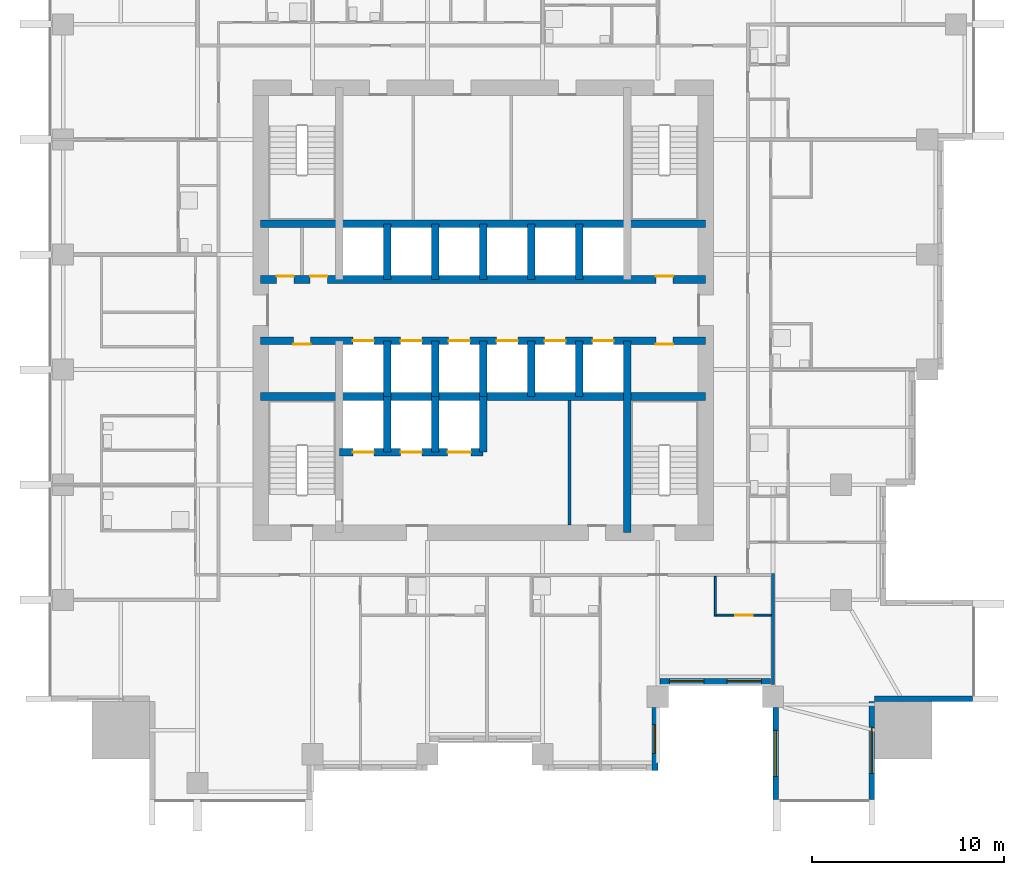
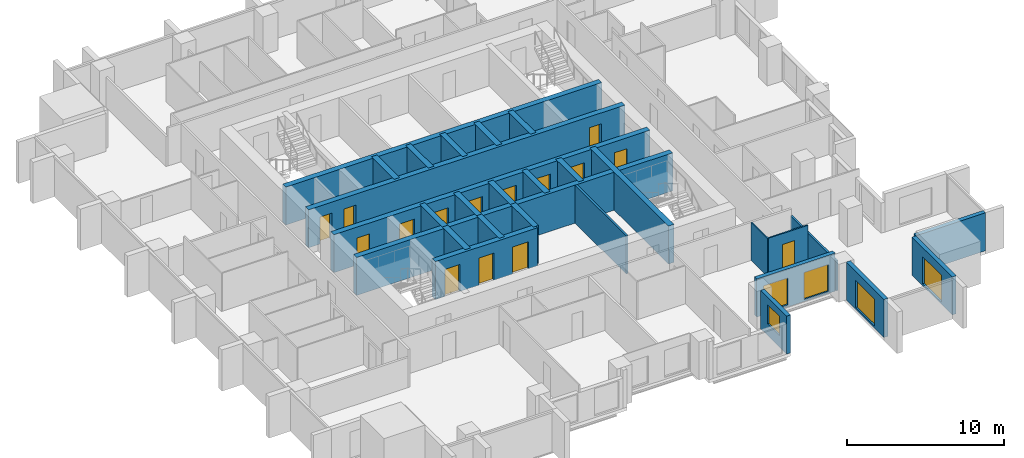
# One storey, part 5 of 10: 28 walls, 15 doors, 5 windows, 20 openings.
"""IFC4 building model written with IfcOpenShell, lengths in metres."""

from ifc_helpers import new_model, si_unit, direction, frame, frame_2d, origin, place, context, subcontext, project, spatial, rectangle, extrude, material, layer, layer_set, type_object, element, fill, save


model = new_model("IFC4")

# Units and contexts
model_context = context("Model", 3, precision=1e-05, world=origin(), true_north=direction((0.0, 1.0)))
body_context = subcontext(model_context, "Body", "Model", "MODEL_VIEW")
ifc_project = project(units=[si_unit("LENGTHUNIT", "METRE"), si_unit("AREAUNIT", "SQUARE_METRE"), si_unit("VOLUMEUNIT", "CUBIC_METRE"), si_unit("PLANEANGLEUNIT", "RADIAN"), si_unit("MASSUNIT", "GRAM", prefix="KILO")], contexts=[model_context])

# Site, building, storey
site_placement = place(None, origin())
site = spatial("IfcSite", under=ifc_project, at=site_placement, CompositionType="ELEMENT")
building_placement = place(site_placement, origin())
building = spatial("IfcBuilding", under=site, at=building_placement, Name="Amberfall Residences", CompositionType="ELEMENT")
storey_placement = place(building_placement, frame((0.0, 0.0, 121.60009765625)))
storey = spatial("IfcBuildingStorey", under=building, at=storey_placement, Name="L33", CompositionType="ELEMENT", Elevation=121.60009765625)

# Wall, opening, window
ifc_material_1 = material(Name="Pale stone cladding on insulated backing", Category="masonry")
ifc_layer_1 = layer(ifc_material_1, 0.300048828125)
ifc_layer_set_1 = layer_set([ifc_layer_1], Name="Bronze clad wall 300")
wall_type_1 = type_object("IfcWallType", Name="Bronze clad wall 300", PredefinedType="SOLIDWALL", material=ifc_layer_set_1)
wall_1_placement = place(storey_placement, frame((83.449951171875, 21.5, 0.0), z_axis=(0.0, 0.0, 1.0), x_axis=(0.0, 1.0, 0.0)))
wall_1 = element("IfcWall", 1, at=wall_1_placement, inside=storey, type_object=wall_type_1, Name="External wall L33 S", PredefinedType="SOLIDWALL", context=body_context, shape_type="SweptSolid", body=[
    extrude(rectangle(XDim=3.300048828125, YDim=0.300048828125, at=frame_2d((1.64990234375, 0.0))), origin(), (0.0, 0.0, 1.0), 2.949951171875),
])
opening_1_placement = place(wall_1_placement, frame((0.89990234375, 0.0, 0.89990234375)))
opening_1 = element("IfcOpeningElement", 2, at=opening_1_placement, cuts=wall_1, Name="Opening WN1", PredefinedType="OPENING", context=body_context, shape_type="SweptSolid", body=[
    extrude(rectangle(XDim=1.5, YDim=1.5, at=frame_2d((0.75, 0.75))), frame((0.0, 0.159912109375, 0.0), z_axis=(0.0, -1.0, 0.0), x_axis=(1.0, 0.0, 0.0)), (0.0, 0.0, 1.0), 0.320068359375),
])
ifc_material_2 = material(Name="Bronze aluminium framed glazing", Category="aluminium")
window_type_1 = type_object("IfcWindowType", Name="Window 1500 x 1500 bronze", PartitioningType="DOUBLE_PANEL_VERTICAL", PredefinedType="WINDOW", material=ifc_material_2)
window_1_placement = place(opening_1_placement, origin())
window_1 = element("IfcWindow", 3, at=window_1_placement, inside=storey, type_object=window_type_1, Name="Window L33 S", OverallHeight=1.5, OverallWidth=1.5, PartitioningType="DOUBLE_PANEL_VERTICAL", PredefinedType="WINDOW", context=body_context, shape_type="SweptSolid", body=[
    extrude(rectangle(XDim=1.5, YDim=1.5, at=frame_2d((0.75, 0.75))), frame((0.0, 0.030029296875, 0.0), z_axis=(0.0, -1.0, 0.0), x_axis=(1.0, 0.0, 0.0)), (0.0, 0.0, 1.0), 0.06005859375),
])
fill(opening_1, window_1)

wall_2_placement = place(storey_placement, frame((89.75, 24.800048828125, 0.0), z_axis=(0.0, 0.0, 1.0), x_axis=(0.0, -1.0, 0.0)))
wall_2 = element("IfcWall", 4, at=wall_2_placement, inside=storey, type_object=wall_type_1, Name="External wall L33 S", PredefinedType="SOLIDWALL", context=body_context, shape_type="SweptSolid", body=[
    extrude(rectangle(XDim=4.800048828125, YDim=0.300048828125, at=frame_2d((2.39990234375, 0.0))), origin(), (0.0, 0.0, 1.0), 2.949951171875),
])
opening_2_placement = place(wall_2_placement, frame((1.199951171875, 0.0, 0.14990234375)))
opening_2 = element("IfcOpeningElement", 5, at=opening_2_placement, cuts=wall_2, Name="Opening WN5", PredefinedType="OPENING", context=body_context, shape_type="SweptSolid", body=[
    extrude(rectangle(XDim=2.39990234375, YDim=2.10009765625, at=frame_2d((1.199951171875, 1.050048828125))), frame((0.0, 0.159912109375, 0.0), z_axis=(0.0, -1.0, 0.0), x_axis=(1.0, 0.0, 0.0)), (0.0, 0.0, 1.0), 0.320068359375),
])
window_type_2 = type_object("IfcWindowType", Name="Glazed opening 2400 x 2100 bronze", PartitioningType="DOUBLE_PANEL_VERTICAL", PredefinedType="WINDOW", material=ifc_material_2)
window_2_placement = place(opening_2_placement, origin())
window_2 = element("IfcWindow", 6, at=window_2_placement, inside=storey, type_object=window_type_2, Name="Window L33 S", OverallHeight=2.10009765625, OverallWidth=2.39990234375, PartitioningType="DOUBLE_PANEL_VERTICAL", PredefinedType="WINDOW", context=body_context, shape_type="SweptSolid", body=[
    extrude(rectangle(XDim=2.39990234375, YDim=2.10009765625, at=frame_2d((1.199951171875, 1.050048828125))), frame((0.0, 0.030029296875, 0.0), z_axis=(0.0, -1.0, 0.0), x_axis=(1.0, 0.0, 0.0)), (0.0, 0.0, 1.0), 0.06005859375),
])
fill(opening_2, window_2)

wall_3_placement = place(storey_placement, frame((94.75, 20.0, 0.0), z_axis=(0.0, 0.0, 1.0), x_axis=(0.0, 1.0, 0.0)))
wall_3 = element("IfcWall", 7, at=wall_3_placement, inside=storey, type_object=wall_type_1, Name="External wall L33 SE", PredefinedType="SOLIDWALL", context=body_context, shape_type="SweptSolid", body=[
    extrude(rectangle(XDim=5.10009765625, YDim=0.300048828125, at=frame_2d((2.550048828125, 0.0))), origin(), (0.0, 0.0, 1.0), 2.949951171875),
])
opening_3_placement = place(wall_3_placement, frame((1.35009765625, 0.0, 0.14990234375)))
opening_3 = element("IfcOpeningElement", 8, at=opening_3_placement, cuts=wall_3, Name="Opening WN5", PredefinedType="OPENING", context=body_context, shape_type="SweptSolid", body=[
    extrude(rectangle(XDim=2.39990234375, YDim=2.10009765625, at=frame_2d((1.199951171875, 1.050048828125))), frame((0.0, 0.159912109375, 0.0), z_axis=(0.0, -1.0, 0.0), x_axis=(1.0, 0.0, 0.0)), (0.0, 0.0, 1.0), 0.320068359375),
])
window_3_placement = place(opening_3_placement, origin())
window_3 = element("IfcWindow", 9, at=window_3_placement, inside=storey, type_object=window_type_2, Name="Window L33 SE", OverallHeight=2.10009765625, OverallWidth=2.39990234375, PartitioningType="DOUBLE_PANEL_VERTICAL", PredefinedType="WINDOW", context=body_context, shape_type="SweptSolid", body=[
    extrude(rectangle(XDim=2.39990234375, YDim=2.10009765625, at=frame_2d((1.199951171875, 1.050048828125))), frame((0.0, 0.030029296875, 0.0), z_axis=(0.0, -1.0, 0.0), x_axis=(1.0, 0.0, 0.0)), (0.0, 0.0, 1.0), 0.06005859375),
])
fill(opening_3, window_3)

# Wall
wall_4_placement = place(storey_placement, frame((94.89990234375, 25.25, 0.0), z_axis=(0.0, 0.0, 1.0), x_axis=(1.0, 0.0, 0.0)))
element("IfcWall", 10, at=wall_4_placement, inside=storey, type_object=wall_type_1, Name="External wall L33 SE", PredefinedType="SOLIDWALL", context=body_context, shape_type="SweptSolid", body=[
    extrude(rectangle(XDim=5.10009765625, YDim=0.300048828125, at=frame_2d((2.550048828125, 0.0))), origin(), (0.0, 0.0, 1.0), 2.949951171875),
])

# Wall, openings, windows
wall_5_placement = place(storey_placement, frame((83.719970703125, 26.14990234375, 0.0), z_axis=(0.0, 0.0, 1.0), x_axis=(1.0, 0.0, 0.0)))
wall_5 = element("IfcWall", 11, at=wall_5_placement, inside=storey, type_object=wall_type_1, Name="Stone wall L33 S", PredefinedType="SOLIDWALL", context=body_context, shape_type="SweptSolid", body=[
    extrude(rectangle(XDim=5.760009765625, YDim=0.300048828125, at=frame_2d((2.8798828125, 0.0))), origin(), (0.0, 0.0, 1.0), 2.949951171875),
])
opening_4_placement = place(wall_5_placement, frame((0.47998046875, 0.0, 0.14990234375)))
opening_4 = element("IfcOpeningElement", 12, at=opening_4_placement, cuts=wall_5, Name="Opening WN6", PredefinedType="OPENING", context=body_context, shape_type="SweptSolid", body=[
    extrude(rectangle(XDim=1.800048828125, YDim=2.10009765625, at=frame_2d((0.89990234375, 1.050048828125))), frame((0.0, 0.159912109375, 0.0), z_axis=(0.0, -1.0, 0.0), x_axis=(1.0, 0.0, 0.0)), (0.0, 0.0, 1.0), 0.320068359375),
])
opening_5_placement = place(wall_5_placement, frame((3.47998046875, 0.0, 0.14990234375)))
opening_5 = element("IfcOpeningElement", 13, at=opening_5_placement, cuts=wall_5, Name="Opening WN6", PredefinedType="OPENING", context=body_context, shape_type="SweptSolid", body=[
    extrude(rectangle(XDim=1.800048828125, YDim=2.10009765625, at=frame_2d((0.89990234375, 1.050048828125))), frame((0.0, 0.159912109375, 0.0), z_axis=(0.0, -1.0, 0.0), x_axis=(1.0, 0.0, 0.0)), (0.0, 0.0, 1.0), 0.320068359375),
])
window_type_3 = type_object("IfcWindowType", Name="Glazed opening 1800 x 2100 bronze", PartitioningType="DOUBLE_PANEL_VERTICAL", PredefinedType="WINDOW", material=ifc_material_2)
window_4_placement = place(opening_4_placement, origin())
window_4 = element("IfcWindow", 14, at=window_4_placement, inside=storey, type_object=window_type_3, Name="Window L33 S", OverallHeight=2.10009765625, OverallWidth=1.800048828125, PartitioningType="DOUBLE_PANEL_VERTICAL", PredefinedType="WINDOW", context=body_context, shape_type="SweptSolid", body=[
    extrude(rectangle(XDim=1.800048828125, YDim=2.10009765625, at=frame_2d((0.89990234375, 1.050048828125))), frame((0.0, 0.030029296875, 0.0), z_axis=(0.0, -1.0, 0.0), x_axis=(1.0, 0.0, 0.0)), (0.0, 0.0, 1.0), 0.06005859375),
])
fill(opening_4, window_4)
window_5_placement = place(opening_5_placement, origin())
window_5 = element("IfcWindow", 15, at=window_5_placement, inside=storey, type_object=window_type_3, Name="Window L33 S", OverallHeight=2.10009765625, OverallWidth=1.800048828125, PartitioningType="DOUBLE_PANEL_VERTICAL", PredefinedType="WINDOW", context=body_context, shape_type="SweptSolid", body=[
    extrude(rectangle(XDim=1.800048828125, YDim=2.10009765625, at=frame_2d((0.89990234375, 1.050048828125))), frame((0.0, 0.030029296875, 0.0), z_axis=(0.0, -1.0, 0.0), x_axis=(1.0, 0.0, 0.0)), (0.0, 0.0, 1.0), 0.06005859375),
])
fill(opening_5, window_5)

# Wall
ifc_material_3 = material(Name="Concrete C70", Category="concrete")
ifc_layer_2 = layer(ifc_material_3, 0.39990234375)
ifc_layer_set_2 = layer_set([ifc_layer_2], Name="Core wall 400 C70")
wall_type_2 = type_object("IfcWallType", Name="Core wall 400 C70", PredefinedType="SHEAR", material=ifc_layer_set_2)
wall_6_placement = place(storey_placement, frame((62.89990234375, 41.0, 0.0), z_axis=(0.0, 0.0, 1.0), x_axis=(1.0, 0.0, 0.0)))
element("IfcWall", 16, at=wall_6_placement, inside=storey, type_object=wall_type_2, Name="Core wall RW4 L33 H75", PredefinedType="SHEAR", context=body_context, shape_type="SweptSolid", body=[
    extrude(rectangle(XDim=23.2001953125, YDim=0.39990234375, at=frame_2d((11.60009765625, 0.0))), origin(), (0.0, 0.0, 1.0), 2.949951171875),
])

# Wall, openings, doors
wall_7_placement = place(storey_placement, frame((62.89990234375, 43.89990234375, 0.0), z_axis=(0.0, 0.0, 1.0), x_axis=(1.0, 0.0, 0.0)))
wall_7 = element("IfcWall", 17, at=wall_7_placement, inside=storey, type_object=wall_type_2, Name="Core wall RW4 L33 H104", PredefinedType="SHEAR", context=body_context, shape_type="SweptSolid", body=[
    extrude(rectangle(XDim=23.2001953125, YDim=0.39990234375, at=frame_2d((11.60009765625, 0.0))), origin(), (0.0, 0.0, 1.0), 2.949951171875),
])
opening_6_placement = place(wall_7_placement, frame((1.699951171875, 0.0, 0.0)))
opening_6 = element("IfcOpeningElement", 18, at=opening_6_placement, cuts=wall_7, Name="Opening RD1", PredefinedType="OPENING", context=body_context, shape_type="SweptSolid", body=[
    extrude(rectangle(XDim=0.89990234375, YDim=2.10009765625, at=frame_2d((0.449951171875, 1.050048828125))), frame((0.0, 0.2099609375, 0.0), z_axis=(0.0, -1.0, 0.0), x_axis=(1.0, 0.0, 0.0)), (0.0, 0.0, 1.0), 0.419921875),
])
opening_7_placement = place(wall_7_placement, frame((20.60009765625, 0.0, 0.0)))
opening_7 = element("IfcOpeningElement", 19, at=opening_7_placement, cuts=wall_7, Name="Opening RD1", PredefinedType="OPENING", context=body_context, shape_type="SweptSolid", body=[
    extrude(rectangle(XDim=0.89990234375, YDim=2.10009765625, at=frame_2d((0.449951171875, 1.050048828125))), frame((0.0, 0.2099609375, 0.0), z_axis=(0.0, -1.0, 0.0), x_axis=(1.0, 0.0, 0.0)), (0.0, 0.0, 1.0), 0.419921875),
])
opening_8_placement = place(wall_7_placement, frame((4.800048828125, 0.0, 0.0)))
opening_8 = element("IfcOpeningElement", 20, at=opening_8_placement, cuts=wall_7, Name="Opening LD1", PredefinedType="OPENING", context=body_context, shape_type="SweptSolid", body=[
    extrude(rectangle(XDim=1.10009765625, YDim=2.10009765625, at=frame_2d((0.550048828125, 1.050048828125))), frame((0.0, 0.2099609375, 0.0), z_axis=(0.0, -1.0, 0.0), x_axis=(1.0, 0.0, 0.0)), (0.0, 0.0, 1.0), 0.419921875),
])
opening_9_placement = place(wall_7_placement, frame((7.300048828125, 0.0, 0.0)))
opening_9 = element("IfcOpeningElement", 21, at=opening_9_placement, cuts=wall_7, Name="Opening LD1", PredefinedType="OPENING", context=body_context, shape_type="SweptSolid", body=[
    extrude(rectangle(XDim=1.10009765625, YDim=2.10009765625, at=frame_2d((0.550048828125, 1.050048828125))), frame((0.0, 0.2099609375, 0.0), z_axis=(0.0, -1.0, 0.0), x_axis=(1.0, 0.0, 0.0)), (0.0, 0.0, 1.0), 0.419921875),
])
opening_10_placement = place(wall_7_placement, frame((9.800048828125, 0.0, 0.0)))
opening_10 = element("IfcOpeningElement", 22, at=opening_10_placement, cuts=wall_7, Name="Opening LD1", PredefinedType="OPENING", context=body_context, shape_type="SweptSolid", body=[
    extrude(rectangle(XDim=1.10009765625, YDim=2.10009765625, at=frame_2d((0.550048828125, 1.050048828125))), frame((0.0, 0.2099609375, 0.0), z_axis=(0.0, -1.0, 0.0), x_axis=(1.0, 0.0, 0.0)), (0.0, 0.0, 1.0), 0.419921875),
])
opening_11_placement = place(wall_7_placement, frame((12.300048828125, 0.0, 0.0)))
opening_11 = element("IfcOpeningElement", 23, at=opening_11_placement, cuts=wall_7, Name="Opening LD1", PredefinedType="OPENING", context=body_context, shape_type="SweptSolid", body=[
    extrude(rectangle(XDim=1.10009765625, YDim=2.10009765625, at=frame_2d((0.550048828125, 1.050048828125))), frame((0.0, 0.2099609375, 0.0), z_axis=(0.0, -1.0, 0.0), x_axis=(1.0, 0.0, 0.0)), (0.0, 0.0, 1.0), 0.419921875),
])
opening_12_placement = place(wall_7_placement, frame((14.800048828125, 0.0, 0.0)))
opening_12 = element("IfcOpeningElement", 24, at=opening_12_placement, cuts=wall_7, Name="Opening LD1", PredefinedType="OPENING", context=body_context, shape_type="SweptSolid", body=[
    extrude(rectangle(XDim=1.10009765625, YDim=2.10009765625, at=frame_2d((0.550048828125, 1.050048828125))), frame((0.0, 0.2099609375, 0.0), z_axis=(0.0, -1.0, 0.0), x_axis=(1.0, 0.0, 0.0)), (0.0, 0.0, 1.0), 0.419921875),
])
opening_13_placement = place(wall_7_placement, frame((17.300048828125, 0.0, 0.0)))
opening_13 = element("IfcOpeningElement", 25, at=opening_13_placement, cuts=wall_7, Name="Opening LD1", PredefinedType="OPENING", context=body_context, shape_type="SweptSolid", body=[
    extrude(rectangle(XDim=1.10009765625, YDim=2.10009765625, at=frame_2d((0.550048828125, 1.050048828125))), frame((0.0, 0.2099609375, 0.0), z_axis=(0.0, -1.0, 0.0), x_axis=(1.0, 0.0, 0.0)), (0.0, 0.0, 1.0), 0.419921875),
])
ifc_material_4 = material(Name="Steel fire door set", Category="steel")
door_type_1 = type_object("IfcDoorType", Name="Lift landing door 1100 x 2100", OperationType="DOUBLE_DOOR_SLIDING", PredefinedType="DOOR", material=ifc_material_4)
door_1_placement = place(opening_8_placement, origin())
door_1 = element("IfcDoor", 26, at=door_1_placement, inside=storey, type_object=door_type_1, Name="Landing door LP1 L33", OperationType="DOUBLE_DOOR_SLIDING", OverallHeight=2.10009765625, OverallWidth=1.10009765625, PredefinedType="DOOR", context=body_context, shape_type="SweptSolid", body=[
    extrude(rectangle(XDim=1.10009765625, YDim=2.10009765625, at=frame_2d((0.550048828125, 1.050048828125))), frame((0.0, 0.02490234375, 0.0), z_axis=(0.0, -1.0, 0.0), x_axis=(1.0, 0.0, 0.0)), (0.0, 0.0, 1.0), 0.050048828125),
])
fill(opening_8, door_1)
door_2_placement = place(opening_9_placement, origin())
door_2 = element("IfcDoor", 27, at=door_2_placement, inside=storey, type_object=door_type_1, Name="Landing door LP2 L33", OperationType="DOUBLE_DOOR_SLIDING", OverallHeight=2.10009765625, OverallWidth=1.10009765625, PredefinedType="DOOR", context=body_context, shape_type="SweptSolid", body=[
    extrude(rectangle(XDim=1.10009765625, YDim=2.10009765625, at=frame_2d((0.550048828125, 1.050048828125))), frame((0.0, 0.02490234375, 0.0), z_axis=(0.0, -1.0, 0.0), x_axis=(1.0, 0.0, 0.0)), (0.0, 0.0, 1.0), 0.050048828125),
])
fill(opening_9, door_2)
door_3_placement = place(opening_10_placement, origin())
door_3 = element("IfcDoor", 28, at=door_3_placement, inside=storey, type_object=door_type_1, Name="Landing door LP3 L33", OperationType="DOUBLE_DOOR_SLIDING", OverallHeight=2.10009765625, OverallWidth=1.10009765625, PredefinedType="DOOR", context=body_context, shape_type="SweptSolid", body=[
    extrude(rectangle(XDim=1.10009765625, YDim=2.10009765625, at=frame_2d((0.550048828125, 1.050048828125))), frame((0.0, 0.02490234375, 0.0), z_axis=(0.0, -1.0, 0.0), x_axis=(1.0, 0.0, 0.0)), (0.0, 0.0, 1.0), 0.050048828125),
])
fill(opening_10, door_3)
door_4_placement = place(opening_11_placement, origin())
door_4 = element("IfcDoor", 29, at=door_4_placement, inside=storey, type_object=door_type_1, Name="Landing door LP4 L33", OperationType="DOUBLE_DOOR_SLIDING", OverallHeight=2.10009765625, OverallWidth=1.10009765625, PredefinedType="DOOR", context=body_context, shape_type="SweptSolid", body=[
    extrude(rectangle(XDim=1.10009765625, YDim=2.10009765625, at=frame_2d((0.550048828125, 1.050048828125))), frame((0.0, 0.02490234375, 0.0), z_axis=(0.0, -1.0, 0.0), x_axis=(1.0, 0.0, 0.0)), (0.0, 0.0, 1.0), 0.050048828125),
])
fill(opening_11, door_4)
door_5_placement = place(opening_12_placement, origin())
door_5 = element("IfcDoor", 30, at=door_5_placement, inside=storey, type_object=door_type_1, Name="Landing door LP5 L33", OperationType="DOUBLE_DOOR_SLIDING", OverallHeight=2.10009765625, OverallWidth=1.10009765625, PredefinedType="DOOR", context=body_context, shape_type="SweptSolid", body=[
    extrude(rectangle(XDim=1.10009765625, YDim=2.10009765625, at=frame_2d((0.550048828125, 1.050048828125))), frame((0.0, 0.02490234375, 0.0), z_axis=(0.0, -1.0, 0.0), x_axis=(1.0, 0.0, 0.0)), (0.0, 0.0, 1.0), 0.050048828125),
])
fill(opening_12, door_5)
door_6_placement = place(opening_13_placement, origin())
door_6 = element("IfcDoor", 31, at=door_6_placement, inside=storey, type_object=door_type_1, Name="Landing door LP6 L33", OperationType="DOUBLE_DOOR_SLIDING", OverallHeight=2.10009765625, OverallWidth=1.10009765625, PredefinedType="DOOR", context=body_context, shape_type="SweptSolid", body=[
    extrude(rectangle(XDim=1.10009765625, YDim=2.10009765625, at=frame_2d((0.550048828125, 1.050048828125))), frame((0.0, 0.02490234375, 0.0), z_axis=(0.0, -1.0, 0.0), x_axis=(1.0, 0.0, 0.0)), (0.0, 0.0, 1.0), 0.050048828125),
])
fill(opening_13, door_6)
door_type_2 = type_object("IfcDoorType", Name="Service room door 900 x 2100", OperationType="SINGLE_SWING_LEFT", PredefinedType="DOOR", material=ifc_material_4)
door_7_placement = place(opening_6_placement, origin())
door_7 = element("IfcDoor", 32, at=door_7_placement, inside=storey, type_object=door_type_2, Name="RD1 L33", OperationType="SINGLE_SWING_LEFT", OverallHeight=2.10009765625, OverallWidth=0.89990234375, PredefinedType="DOOR", context=body_context, shape_type="SweptSolid", body=[
    extrude(rectangle(XDim=0.89990234375, YDim=2.10009765625, at=frame_2d((0.449951171875, 1.050048828125))), frame((0.0, -0.1376953125, 0.0), z_axis=(0.0, -1.0, 0.0), x_axis=(1.0, 0.0, 0.0)), (0.0, 0.0, 1.0), 0.050048828125),
])
fill(opening_6, door_7)
door_8_placement = place(opening_7_placement, origin())
door_8 = element("IfcDoor", 33, at=door_8_placement, inside=storey, type_object=door_type_2, Name="RD1 L33", OperationType="SINGLE_SWING_LEFT", OverallHeight=2.10009765625, OverallWidth=0.89990234375, PredefinedType="DOOR", context=body_context, shape_type="SweptSolid", body=[
    extrude(rectangle(XDim=0.89990234375, YDim=2.10009765625, at=frame_2d((0.449951171875, 1.050048828125))), frame((0.0, -0.1376953125, 0.0), z_axis=(0.0, -1.0, 0.0), x_axis=(1.0, 0.0, 0.0)), (0.0, 0.0, 1.0), 0.050048828125),
])
fill(opening_7, door_8)

wall_8_placement = place(storey_placement, frame((62.89990234375, 47.10009765625, 0.0), z_axis=(0.0, 0.0, 1.0), x_axis=(1.0, 0.0, 0.0)))
wall_8 = element("IfcWall", 34, at=wall_8_placement, inside=storey, type_object=wall_type_2, Name="Core wall RW4 L33 H136", PredefinedType="SHEAR", context=body_context, shape_type="SweptSolid", body=[
    extrude(rectangle(XDim=23.2001953125, YDim=0.39990234375, at=frame_2d((11.60009765625, 0.0))), origin(), (0.0, 0.0, 1.0), 2.949951171875),
])
opening_14_placement = place(wall_8_placement, frame((0.824951171875, 0.0, 0.0)))
opening_14 = element("IfcOpeningElement", 35, at=opening_14_placement, cuts=wall_8, Name="Opening RD1", PredefinedType="OPENING", context=body_context, shape_type="SweptSolid", body=[
    extrude(rectangle(XDim=0.89990234375, YDim=2.10009765625, at=frame_2d((0.449951171875, 1.050048828125))), frame((0.0, 0.2099609375, 0.0), z_axis=(0.0, -1.0, 0.0), x_axis=(1.0, 0.0, 0.0)), (0.0, 0.0, 1.0), 0.419921875),
])
opening_15_placement = place(wall_8_placement, frame((2.574951171875, 0.0, 0.0)))
opening_15 = element("IfcOpeningElement", 36, at=opening_15_placement, cuts=wall_8, Name="Opening RD1", PredefinedType="OPENING", context=body_context, shape_type="SweptSolid", body=[
    extrude(rectangle(XDim=0.89990234375, YDim=2.10009765625, at=frame_2d((0.449951171875, 1.050048828125))), frame((0.0, 0.2099609375, 0.0), z_axis=(0.0, -1.0, 0.0), x_axis=(1.0, 0.0, 0.0)), (0.0, 0.0, 1.0), 0.419921875),
])
opening_16_placement = place(wall_8_placement, frame((20.60009765625, 0.0, 0.0)))
opening_16 = element("IfcOpeningElement", 37, at=opening_16_placement, cuts=wall_8, Name="Opening RD1", PredefinedType="OPENING", context=body_context, shape_type="SweptSolid", body=[
    extrude(rectangle(XDim=0.89990234375, YDim=2.10009765625, at=frame_2d((0.449951171875, 1.050048828125))), frame((0.0, 0.2099609375, 0.0), z_axis=(0.0, -1.0, 0.0), x_axis=(1.0, 0.0, 0.0)), (0.0, 0.0, 1.0), 0.419921875),
])
door_9_placement = place(opening_14_placement, origin())
door_9 = element("IfcDoor", 38, at=door_9_placement, inside=storey, type_object=door_type_2, Name="RD1 L33", OperationType="SINGLE_SWING_LEFT", OverallHeight=2.10009765625, OverallWidth=0.89990234375, PredefinedType="DOOR", context=body_context, shape_type="SweptSolid", body=[
    extrude(rectangle(XDim=0.89990234375, YDim=2.10009765625, at=frame_2d((0.449951171875, 1.050048828125))), frame((0.0, 0.1875, 0.0), z_axis=(0.0, -1.0, 0.0), x_axis=(1.0, 0.0, 0.0)), (0.0, 0.0, 1.0), 0.050048828125),
])
fill(opening_14, door_9)
door_10_placement = place(opening_15_placement, origin())
door_10 = element("IfcDoor", 39, at=door_10_placement, inside=storey, type_object=door_type_2, Name="RD1 L33", OperationType="SINGLE_SWING_RIGHT", OverallHeight=2.10009765625, OverallWidth=0.89990234375, PredefinedType="DOOR", context=body_context, shape_type="SweptSolid", body=[
    extrude(rectangle(XDim=0.89990234375, YDim=2.10009765625, at=frame_2d((0.449951171875, 1.050048828125))), frame((0.0, 0.1875, 0.0), z_axis=(0.0, -1.0, 0.0), x_axis=(1.0, 0.0, 0.0)), (0.0, 0.0, 1.0), 0.050048828125),
])
fill(opening_15, door_10)
door_11_placement = place(opening_16_placement, origin())
door_11 = element("IfcDoor", 40, at=door_11_placement, inside=storey, type_object=door_type_2, Name="RD1 L33", OperationType="SINGLE_SWING_LEFT", OverallHeight=2.10009765625, OverallWidth=0.89990234375, PredefinedType="DOOR", context=body_context, shape_type="SweptSolid", body=[
    extrude(rectangle(XDim=0.89990234375, YDim=2.10009765625, at=frame_2d((0.449951171875, 1.050048828125))), frame((0.0, 0.1875, 0.0), z_axis=(0.0, -1.0, 0.0), x_axis=(1.0, 0.0, 0.0)), (0.0, 0.0, 1.0), 0.050048828125),
])
fill(opening_16, door_11)

# Walls
wall_9_placement = place(storey_placement, frame((62.89990234375, 50.0, 0.0), z_axis=(0.0, 0.0, 1.0), x_axis=(1.0, 0.0, 0.0)))
element("IfcWall", 41, at=wall_9_placement, inside=storey, type_object=wall_type_2, Name="Core wall RW4 L33 H165", PredefinedType="SHEAR", context=body_context, shape_type="SweptSolid", body=[
    extrude(rectangle(XDim=23.2001953125, YDim=0.39990234375, at=frame_2d((11.60009765625, 0.0))), origin(), (0.0, 0.0, 1.0), 2.949951171875),
])
wall_10_placement = place(storey_placement, frame((82.0, 33.89990234375, 0.0), z_axis=(0.0, 0.0, 1.0), x_axis=(0.0, 1.0, 0.0)))
element("IfcWall", 42, at=wall_10_placement, inside=storey, type_object=wall_type_2, Name="Core wall RW4 L33 V195S", PredefinedType="SHEAR", context=body_context, shape_type="SweptSolid", body=[
    extrude(rectangle(XDim=10.0, YDim=0.39990234375, at=frame_2d((5.0, 0.0))), origin(), (0.0, 0.0, 1.0), 2.949951171875),
])
for number, where, z_axis, x_axis, name in (
    (43, (69.5, 41.0, 0.0), (0.0, 0.0, 1.0), (0.0, 1.0, 0.0), "Core wall RW4 L33 LPD1"),
    (44, (69.5, 47.10009765625, 0.0), (0.0, 0.0, 1.0), (0.0, 1.0, 0.0), "Core wall RW4 L33 HPD1"),
    (45, (72.0, 41.0, 0.0), (0.0, 0.0, 1.0), (0.0, 1.0, 0.0), "Core wall RW4 L33 LPD2"),
    (46, (72.0, 47.10009765625, 0.0), (0.0, 0.0, 1.0), (0.0, 1.0, 0.0), "Core wall RW4 L33 HPD2"),
    (47, (74.5, 41.0, 0.0), (0.0, 0.0, 1.0), (0.0, 1.0, 0.0), "Core wall RW4 L33 LPD3"),
    (48, (74.5, 47.10009765625, 0.0), (0.0, 0.0, 1.0), (0.0, 1.0, 0.0), "Core wall RW4 L33 HPD3"),
    (49, (77.0, 41.0, 0.0), (0.0, 0.0, 1.0), (0.0, 1.0, 0.0), "Core wall RW4 L33 LPD4"),
    (50, (77.0, 47.10009765625, 0.0), (0.0, 0.0, 1.0), (0.0, 1.0, 0.0), "Core wall RW4 L33 HPD4"),
    (51, (79.5, 41.0, 0.0), (0.0, 0.0, 1.0), (0.0, 1.0, 0.0), "Core wall RW4 L33 LPD5"),
    (52, (79.5, 47.10009765625, 0.0), (0.0, 0.0, 1.0), (0.0, 1.0, 0.0), "Core wall RW4 L33 HPD5"),
):
    element("IfcWall", number, at=place(storey_placement, frame(where, z_axis=z_axis, x_axis=x_axis)), inside=storey, type_object=wall_type_2, Name=name, PredefinedType="SHEAR", context=body_context, shape_type="SweptSolid", body=[
        extrude(rectangle(XDim=2.89990234375, YDim=0.39990234375, at=frame_2d((1.449951171875, 0.0))), origin(), (0.0, 0.0, 1.0), 2.949951171875),
    ])

# Wall, openings, doors
wall_11_placement = place(storey_placement, frame((67.0, 38.10009765625, 0.0), z_axis=(0.0, 0.0, 1.0), x_axis=(1.0, 0.0, 0.0)))
wall_11 = element("IfcWall", 53, at=wall_11_placement, inside=storey, type_object=wall_type_2, Name="Core wall RW4 L33 FFF", PredefinedType="SHEAR", context=body_context, shape_type="SweptSolid", body=[
    extrude(rectangle(XDim=7.5, YDim=0.39990234375, at=frame_2d((3.75, 0.0))), origin(), (0.0, 0.0, 1.0), 2.949951171875),
])
opening_17_placement = place(wall_11_placement, frame((0.699951171875, 0.0, 0.0)))
opening_17 = element("IfcOpeningElement", 54, at=opening_17_placement, cuts=wall_11, Name="Opening LD2", PredefinedType="OPENING", context=body_context, shape_type="SweptSolid", body=[
    extrude(rectangle(XDim=1.10009765625, YDim=2.10009765625, at=frame_2d((0.550048828125, 1.050048828125))), frame((0.0, 0.2099609375, 0.0), z_axis=(0.0, -1.0, 0.0), x_axis=(1.0, 0.0, 0.0)), (0.0, 0.0, 1.0), 0.419921875),
])
opening_18_placement = place(wall_11_placement, frame((3.199951171875, 0.0, 0.0)))
opening_18 = element("IfcOpeningElement", 55, at=opening_18_placement, cuts=wall_11, Name="Opening LD2", PredefinedType="OPENING", context=body_context, shape_type="SweptSolid", body=[
    extrude(rectangle(XDim=1.10009765625, YDim=2.10009765625, at=frame_2d((0.550048828125, 1.050048828125))), frame((0.0, 0.2099609375, 0.0), z_axis=(0.0, -1.0, 0.0), x_axis=(1.0, 0.0, 0.0)), (0.0, 0.0, 1.0), 0.419921875),
])
opening_19_placement = place(wall_11_placement, frame((5.64990234375, 0.0, 0.0)))
opening_19 = element("IfcOpeningElement", 56, at=opening_19_placement, cuts=wall_11, Name="Opening LD3", PredefinedType="OPENING", context=body_context, shape_type="SweptSolid", body=[
    extrude(rectangle(XDim=1.199951171875, YDim=2.10009765625, at=frame_2d((0.60009765625, 1.050048828125))), frame((0.0, 0.2099609375, 0.0), z_axis=(0.0, -1.0, 0.0), x_axis=(1.0, 0.0, 0.0)), (0.0, 0.0, 1.0), 0.419921875),
])
door_type_3 = type_object("IfcDoorType", Name="Firefighting lift landing door 1100 x 2100", OperationType="DOUBLE_DOOR_SLIDING", PredefinedType="DOOR", material=ifc_material_4)
door_12_placement = place(opening_17_placement, origin())
door_12 = element("IfcDoor", 57, at=door_12_placement, inside=storey, type_object=door_type_3, Name="Landing door FF1 L33", OperationType="DOUBLE_DOOR_SLIDING", OverallHeight=2.10009765625, OverallWidth=1.10009765625, PredefinedType="DOOR", context=body_context, shape_type="SweptSolid", body=[
    extrude(rectangle(XDim=1.10009765625, YDim=2.10009765625, at=frame_2d((0.550048828125, 1.050048828125))), frame((0.0, 0.02490234375, 0.0), z_axis=(0.0, -1.0, 0.0), x_axis=(1.0, 0.0, 0.0)), (0.0, 0.0, 1.0), 0.050048828125),
])
fill(opening_17, door_12)
door_13_placement = place(opening_18_placement, origin())
door_13 = element("IfcDoor", 58, at=door_13_placement, inside=storey, type_object=door_type_3, Name="Landing door FF2 L33", OperationType="DOUBLE_DOOR_SLIDING", OverallHeight=2.10009765625, OverallWidth=1.10009765625, PredefinedType="DOOR", context=body_context, shape_type="SweptSolid", body=[
    extrude(rectangle(XDim=1.10009765625, YDim=2.10009765625, at=frame_2d((0.550048828125, 1.050048828125))), frame((0.0, 0.02490234375, 0.0), z_axis=(0.0, -1.0, 0.0), x_axis=(1.0, 0.0, 0.0)), (0.0, 0.0, 1.0), 0.050048828125),
])
fill(opening_18, door_13)
door_type_4 = type_object("IfcDoorType", Name="Service lift landing door 1200 x 2100", OperationType="DOUBLE_DOOR_SLIDING", PredefinedType="DOOR", material=ifc_material_4)
door_14_placement = place(opening_19_placement, origin())
door_14 = element("IfcDoor", 59, at=door_14_placement, inside=storey, type_object=door_type_4, Name="Landing door SL1 L33", OperationType="DOUBLE_DOOR_SLIDING", OverallHeight=2.10009765625, OverallWidth=1.199951171875, PredefinedType="DOOR", context=body_context, shape_type="SweptSolid", body=[
    extrude(rectangle(XDim=1.199951171875, YDim=2.10009765625, at=frame_2d((0.60009765625, 1.050048828125))), frame((0.0, 0.02490234375, 0.0), z_axis=(0.0, -1.0, 0.0), x_axis=(1.0, 0.0, 0.0)), (0.0, 0.0, 1.0), 0.050048828125),
])
fill(opening_19, door_14)

# Walls
for number, where, z_axis, x_axis, name in (
    (60, (69.5, 38.10009765625, 0.0), (0.0, 0.0, 1.0), (0.0, 1.0, 0.0), "Core wall RW4 L33 FFD1"),
    (61, (72.0, 38.10009765625, 0.0), (0.0, 0.0, 1.0), (0.0, 1.0, 0.0), "Core wall RW4 L33 FFD2"),
    (62, (74.5, 38.10009765625, 0.0), (0.0, 0.0, 1.0), (0.0, 1.0, 0.0), "Core wall RW4 L33 FFD3"),
):
    element("IfcWall", number, at=place(storey_placement, frame(where, z_axis=z_axis, x_axis=x_axis)), inside=storey, type_object=wall_type_2, Name=name, PredefinedType="SHEAR", context=body_context, shape_type="SweptSolid", body=[
        extrude(rectangle(XDim=2.89990234375, YDim=0.39990234375, at=frame_2d((1.449951171875, 0.0))), origin(), (0.0, 0.0, 1.0), 2.949951171875),
    ])
ifc_material_5 = material(Name="Gypsum board on metal stud")
ifc_layer_3 = layer(ifc_material_5, 0.10009765625)
ifc_layer_set_3 = layer_set([ifc_layer_3], Name="Flat partition 100")
wall_type_3 = type_object("IfcWallType", Name="Flat partition 100", PredefinedType="PARTITIONING", material=ifc_layer_set_3)
wall_12_placement = place(storey_placement, frame((86.60009765625, 29.550048828125, 0.0), z_axis=(0.0, 0.0, 1.0), x_axis=(0.0, 1.0, 0.0)))
element("IfcWall", 63, at=wall_12_placement, inside=storey, type_object=wall_type_3, Name="Partition 018", PredefinedType="PARTITIONING", context=body_context, shape_type="SweptSolid", body=[
    extrude(rectangle(XDim=2.074951171875, YDim=0.10009765625, at=frame_2d((1.03759765625, 0.0))), origin(), (0.0, 0.0, 1.0), 2.949951171875),
])

# Wall, opening, door
wall_13_placement = place(storey_placement, frame((86.64990234375, 29.60009765625, 0.0), z_axis=(0.0, 0.0, 1.0), x_axis=(1.0, 0.0, 0.0)))
wall_13 = element("IfcWall", 64, at=wall_13_placement, inside=storey, type_object=wall_type_3, Name="Partition 047", PredefinedType="PARTITIONING", context=body_context, shape_type="SweptSolid", body=[
    extrude(rectangle(XDim=2.875, YDim=0.10009765625, at=frame_2d((1.4375, 0.0))), origin(), (0.0, 0.0, 1.0), 2.949951171875),
])
opening_20_placement = place(wall_13_placement, frame((1.0, 0.0, 0.0)))
opening_20 = element("IfcOpeningElement", 65, at=opening_20_placement, cuts=wall_13, Name="Opening D41", PredefinedType="OPENING", context=body_context, shape_type="SweptSolid", body=[
    extrude(rectangle(XDim=0.89990234375, YDim=2.10009765625, at=frame_2d((0.449951171875, 1.050048828125))), frame((0.0, 0.06005859375, 0.0), z_axis=(0.0, -1.0, 0.0), x_axis=(1.0, 0.0, 0.0)), (0.0, 0.0, 1.0), 0.1201171875),
])
ifc_material_6 = material(Name="Timber", Category="wood")
door_type_5 = type_object("IfcDoorType", Name="Internal door 900 x 2100", OperationType="SINGLE_SWING_LEFT", PredefinedType="DOOR", material=ifc_material_6)
door_15_placement = place(opening_20_placement, origin())
door_15 = element("IfcDoor", 66, at=door_15_placement, inside=storey, type_object=door_type_5, Name="Door 3302 kitchen", OperationType="SINGLE_SWING_LEFT", OverallHeight=2.10009765625, OverallWidth=0.89990234375, PredefinedType="DOOR", context=body_context, shape_type="SweptSolid", body=[
    extrude(rectangle(XDim=0.89990234375, YDim=2.10009765625, at=frame_2d((0.449951171875, 1.050048828125))), frame((0.0, 0.02490234375, 0.0), z_axis=(0.0, -1.0, 0.0), x_axis=(1.0, 0.0, 0.0)), (0.0, 0.0, 1.0), 0.050048828125),
])
fill(opening_20, door_15)

# Walls
ifc_material_7 = material(Name="Blockwork, plastered", Category="masonry")
ifc_layer_4 = layer(ifc_material_7, 0.14990234375)
ifc_layer_set_4 = layer_set([ifc_layer_4], Name="Flat separating wall 150")
wall_type_4 = type_object("IfcWallType", Name="Flat separating wall 150", PredefinedType="PARTITIONING", material=ifc_layer_set_4)
wall_14_placement = place(storey_placement, frame((89.60009765625, 26.0, 0.0), z_axis=(0.0, 0.0, 1.0), x_axis=(0.0, 1.0, 0.0)))
element("IfcWall", 67, at=wall_14_placement, inside=storey, type_object=wall_type_4, Name="Separating wall 053", PredefinedType="PARTITIONING", context=body_context, shape_type="SweptSolid", body=[
    extrude(rectangle(XDim=5.77490234375, YDim=0.14990234375, at=frame_2d((2.887451171875, 0.0))), origin(), (0.0, 0.0, 1.0), 2.331787109375),
])
ifc_material_8 = material(Name="Concrete blockwork", Category="masonry")
ifc_layer_5 = layer(ifc_material_8, 0.14990234375)
ifc_layer_set_5 = layer_set([ifc_layer_5], Name="Riser wall 150")
wall_type_5 = type_object("IfcWallType", Name="Riser wall 150", PredefinedType="PLUMBINGWALL", material=ifc_layer_set_5)
wall_15_placement = place(storey_placement, frame((79.0, 34.300048828125, 0.0), z_axis=(0.0, 0.0, 1.0), x_axis=(0.0, 1.0, 0.0)))
element("IfcWall", 68, at=wall_15_placement, inside=storey, type_object=wall_type_5, Name="L33 core wall PX", PredefinedType="PLUMBINGWALL", context=body_context, shape_type="SweptSolid", body=[
    extrude(rectangle(XDim=6.5, YDim=0.14990234375, at=frame_2d((3.25, 0.0))), origin(), (0.0, 0.0, 1.0), 2.949951171875),
])

save(model, "model.ifc")
